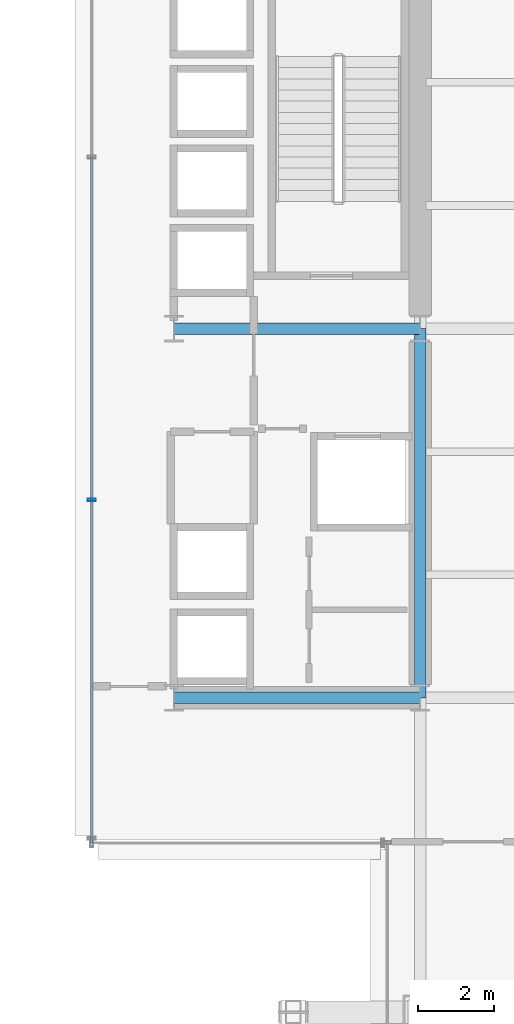
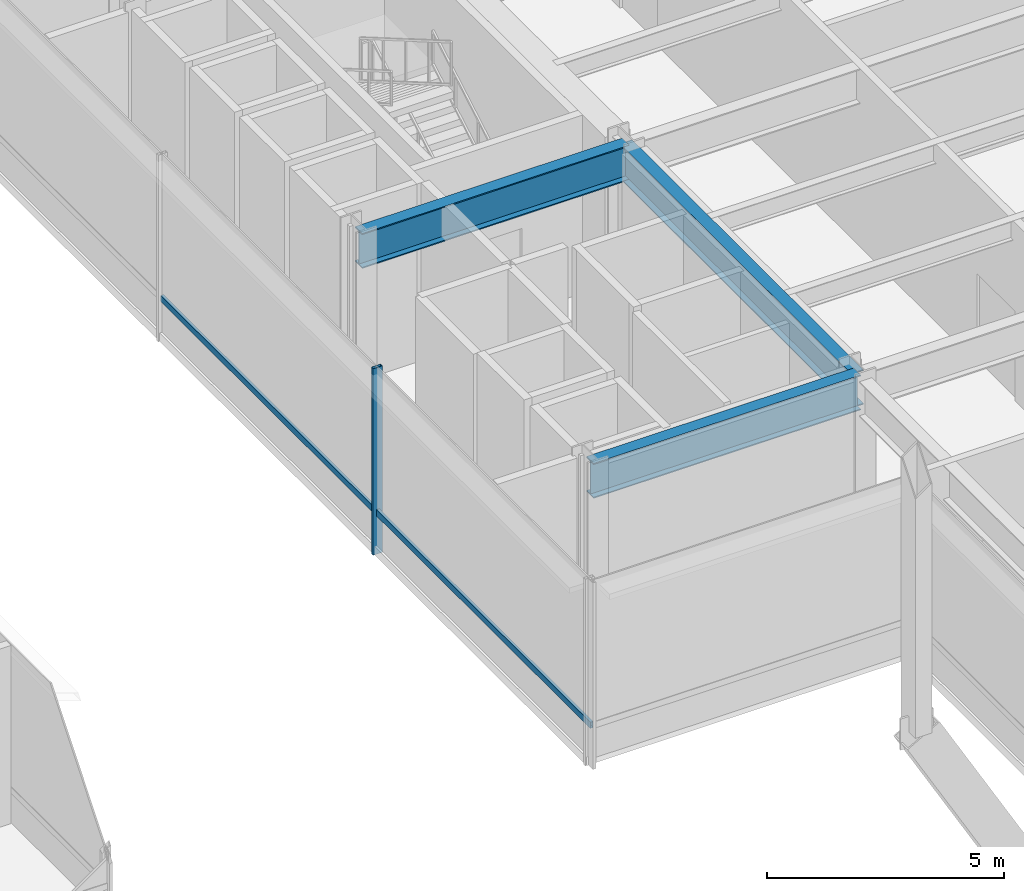
# One storey, part 12 of 40: 3 beams, 3 members, 1 element without a shape of its own.
"""IFC4 building model written with IfcOpenShell, lengths in metres."""

from ifc_helpers import new_model, si_unit, direction, frame, origin, origin_2d, place, context, subcontext, project, spatial, hollow_rectangle, i_section, extrude, material, layer, layer_set, material_profile, profile_set, type_object, element, aggregate, save


model = new_model("IFC4")

# Units and contexts
model_context = context("Model", 3, precision=1e-05, world=origin(), true_north=direction((0.0, 1.0)))
body_context = subcontext(model_context, "Body", "Model", "MODEL_VIEW")
ifc_project = project(units=[si_unit("LENGTHUNIT", "METRE"), si_unit("AREAUNIT", "SQUARE_METRE"), si_unit("VOLUMEUNIT", "CUBIC_METRE"), si_unit("PLANEANGLEUNIT", "RADIAN"), si_unit("MASSUNIT", "GRAM", prefix="KILO")], contexts=[model_context])

# Site, building, storey
site_placement = place(None, origin())
site = spatial("IfcSite", under=ifc_project, at=site_placement, CompositionType="ELEMENT")
building_placement = place(site_placement, origin())
building = spatial("IfcBuilding", under=site, at=building_placement, Name="Brelmoor Portico Tower", CompositionType="ELEMENT")
storey_placement = place(building_placement, frame((0.0, 0.0, 4.800048828125)))
storey = spatial("IfcBuildingStorey", under=building, at=storey_placement, Name="L01", CompositionType="ELEMENT", Elevation=4.800048828125)

# Beams
ifc_material_1 = material(Name="Steel Q355B", Category="steel")
ifc_material_profile_1 = material_profile(ifc_material_1, i_section(OverallWidth=0.300048828125, OverallDepth=0.89990234375, WebThickness=0.01611328125, FlangeThickness=0.028076171875, at=origin_2d()), Name="HN 900x300x16x28")
ifc_profile_set_1 = profile_set([ifc_material_profile_1], Name="Steel Q355B")
beam_type = type_object("IfcBeamType", Name="BM-PG-900", PredefinedType="BEAM", material=ifc_profile_set_1)
beam_placement = place(storey_placement, frame((14.550048828125, -9.75, 4.1298828125), z_axis=(0.0, 1.0, 0.0), x_axis=(-1.0, 0.0, 0.0)))
element("IfcBeam", 1, at=beam_placement, inside=storey, type_object=beam_type, Name="L01 Primary Floor Girder PG-14", PredefinedType="BEAM", context=body_context, shape_type="SweptSolid", body=[
    extrude(i_section(OverallWidth=0.300048828125, OverallDepth=0.89990234375, WebThickness=0.01611328125, FlangeThickness=0.028076171875, at=origin_2d()), origin(), (0.0, 0.0, 1.0), 9.75),
])
for number, where, z_axis, x_axis, name in (
    (2, (8.050048828125, -9.75, 4.1298828125), (1.0, 0.0, 0.0), (0.0, 1.0, 0.0), "L01 Primary Floor Girder PG-27"),
    (3, (8.050048828125, 0.0, 4.1298828125), (1.0, 0.0, 0.0), (0.0, 1.0, 0.0), "L01 Primary Floor Girder PG-31"),
):
    element("IfcBeam", number, at=place(storey_placement, frame(where, z_axis=z_axis, x_axis=x_axis)), inside=storey, type_object=beam_type, Name=name, PredefinedType="BEAM", context=body_context, shape_type="SweptSolid", body=[
        extrude(i_section(OverallWidth=0.300048828125, OverallDepth=0.89990234375, WebThickness=0.01611328125, FlangeThickness=0.028076171875, at=origin_2d()), origin(), (0.0, 0.0, 1.0), 6.5),
    ])

# Curtain wall, members
ifc_material_2 = material(Name="Anodised Aluminium Alloy 6063-T6", Category="aluminium")
ifc_layer = layer(ifc_material_2, 0.179931640625)
ifc_layer_set = layer_set([ifc_layer], Name="Anodised Aluminium Alloy 6063-T6")
curtain_wall_type = type_object("IfcCurtainWallType", Name="CW-PODIUM-ARCH", PredefinedType="NOTDEFINED", material=ifc_layer_set)
curtain_wall_placement = place(storey_placement, origin())
curtain_wall = element("IfcCurtainWall", 4, at=curtain_wall_placement, inside=storey, type_object=curtain_wall_type, Name="L01 Curtain Wall CW-L01-16", PredefinedType="NOTDEFINED")
ifc_material_profile_2 = material_profile(ifc_material_2, hollow_rectangle(XDim=0.074951171875, YDim=0.219970703125, WallThickness=0.0048828125, at=origin_2d()), Name="ALU MULLION 75x220")
ifc_profile_set_2 = profile_set([ifc_material_profile_2], Name="Anodised Aluminium Alloy 6063-T6")
member_type_1 = type_object("IfcMemberType", Name="MB-CW-MULL-220", PredefinedType="MULLION", material=ifc_profile_set_2)
member_1_placement = place(storey_placement, frame((5.8798828125, -4.526611328125, -0.219970703125), z_axis=(0.0, 0.0, 1.0), x_axis=(0.0, 1.0, 0.0)))
member_1 = element("IfcMember", 5, at=member_1_placement, type_object=member_type_1, Name="CW-L01-16 Mullion 01", PredefinedType="MULLION", context=body_context, shape_type="SweptSolid", body=[
    extrude(hollow_rectangle(XDim=0.074951171875, YDim=0.219970703125, WallThickness=0.0048828125, at=origin_2d()), origin(), (0.0, 0.0, 1.0), 4.7998046875),
])
ifc_material_profile_3 = material_profile(ifc_material_2, hollow_rectangle(XDim=0.070068359375, YDim=0.159912109375, WallThickness=0.00390625, at=origin_2d()), Name="ALU TRANSOM 70x160")
ifc_profile_set_3 = profile_set([ifc_material_profile_3], Name="Anodised Aluminium Alloy 6063-T6")
member_type_2 = type_object("IfcMemberType", Name="MB-CW-TRAN-160", PredefinedType="USERDEFINED", material=ifc_profile_set_3)
member_2_placement = place(storey_placement, frame((5.8798828125, -13.580078125, 0.849853515625), z_axis=(0.0, 1.0, 0.0), x_axis=(-1.0, 0.0, 0.0)))
member_2 = element("IfcMember", 6, at=member_2_placement, type_object=member_type_2, Name="CW-L01-16 Transom 1-00", ObjectType="TRANSOM", PredefinedType="USERDEFINED", context=body_context, shape_type="SweptSolid", body=[
    extrude(hollow_rectangle(XDim=0.070068359375, YDim=0.159912109375, WallThickness=0.00390625, at=origin_2d()), origin(), (0.0, 0.0, 1.0), 9.053466796875),
])
member_3_placement = place(storey_placement, frame((5.8798828125, -4.526611328125, 0.849853515625), z_axis=(0.0, 1.0, 0.0), x_axis=(-1.0, 0.0, 0.0)))
member_3 = element("IfcMember", 7, at=member_3_placement, type_object=member_type_2, Name="CW-L01-16 Transom 1-01", ObjectType="TRANSOM", PredefinedType="USERDEFINED", context=body_context, shape_type="SweptSolid", body=[
    extrude(hollow_rectangle(XDim=0.070068359375, YDim=0.159912109375, WallThickness=0.00390625, at=origin_2d()), origin(), (0.0, 0.0, 1.0), 9.05322265625),
])
aggregate(curtain_wall, [member_1, member_2, member_3])

save(model, "model.ifc")
